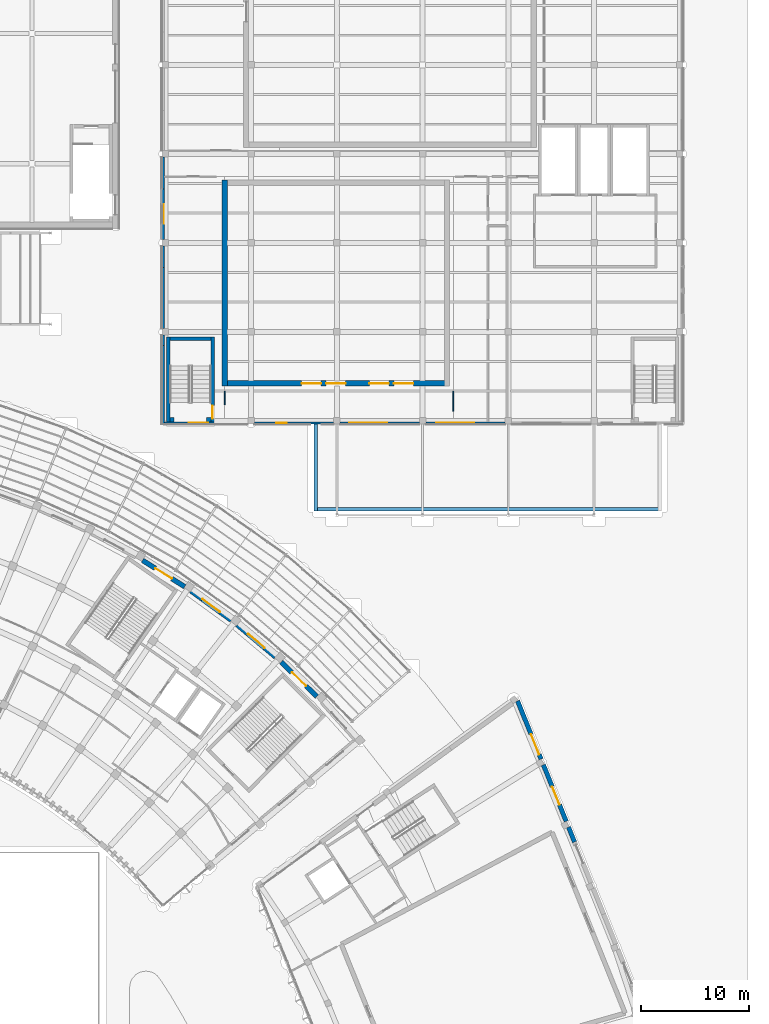
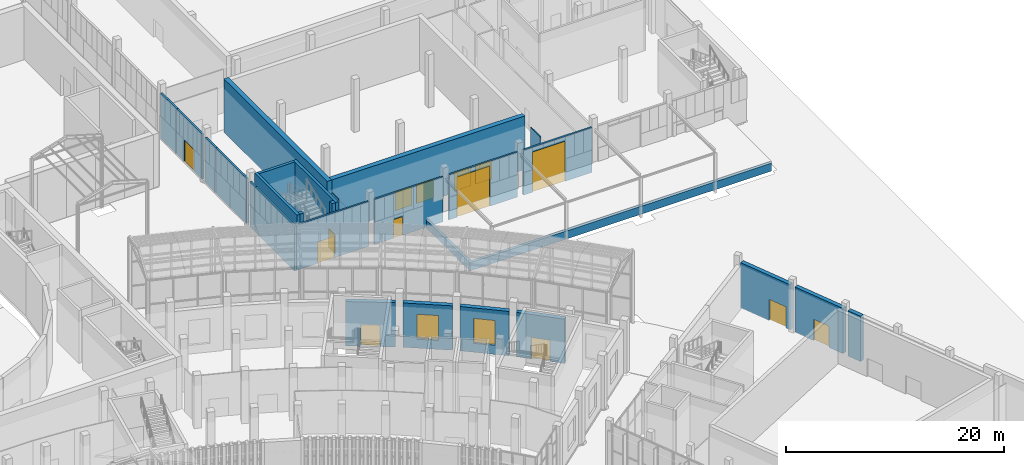
# One storey, part 101 of 155: 28 walls, 14 doors, 2 windows, 16 openings.
"""IFC4 building model written with IfcOpenShell, lengths in metres."""

import ifcopenshell
import ifcopenshell.guid

model = None  # the IFC model being written
_history = None  # IfcOwnerHistory: only IFC2X3 demands one
_inside = {}  # id of a spatial element -> (the spatial element, [elements in it])
_under = {}  # id of a project, library or spatial element -> (it, [spatial elements below it])
_declared = {}  # id of a project -> (the project, [libraries it declares])
_typed = {}  # id of a type object -> (the type object, [elements of that type])
_made_of = {}  # id of a material, layer set ... -> (it, [elements and type objects made of it])


def new_model(schema):
    """Start an empty IFC model of exactly this schema.

    Asked for "IFC4X3", IfcOpenShell would pick the latest addendum, in which some entities
    have other attributes; the version numbers below select the first issue.
    IFC2X3 requires an IfcOwnerHistory on every rooted entity: one is made here for all.
    """
    global model, _history
    if schema == "IFC4X3":
        model = ifcopenshell.file(schema_version=(4, 3, 0, 0))
    else:
        model = ifcopenshell.file(schema=schema)
    _inside.clear()
    _under.clear()
    _declared.clear()
    _typed.clear()
    _made_of.clear()
    _history = None
    if model.schema == "IFC2X3":
        org = make("IfcOrganization", Name="unknown")
        user = make(
            "IfcPersonAndOrganization",
            ThePerson=make("IfcPerson", FamilyName="unknown"),
            TheOrganization=org,
        )
        app = make(
            "IfcApplication",
            ApplicationDeveloper=org,
            Version="unknown",
            ApplicationFullName="unknown",
            ApplicationIdentifier="unknown",
        )
        _history = make(
            "IfcOwnerHistory",
            OwningUser=user,
            OwningApplication=app,
            ChangeAction="ADDED",
            CreationDate=0,
        )
    return model


def make(cls, **values):
    """One entity of the class cls with the attributes given. An attribute that is None is left unset."""
    return model.create_entity(
        cls, **{name: value for name, value in values.items() if value is not None}
    )


def rooted(cls, **values):
    """An entity with a GlobalId (a new one), such as an element, a storey or a relation."""
    return make(cls, GlobalId=ifcopenshell.guid.new(), OwnerHistory=_history, **values)


def si_unit(unit_type, name, prefix=None):
    """IfcSIUnit, for example si_unit("LENGTHUNIT", "METRE", prefix="MILLI")."""
    return make("IfcSIUnit", UnitType=unit_type, Prefix=prefix, Name=name)


def assignment(units):
    """IfcUnitAssignment: the units of a project."""
    return None if units is None else make("IfcUnitAssignment", Units=units)


def point(xyz):
    """IfcCartesianPoint."""
    return None if xyz is None else make("IfcCartesianPoint", Coordinates=xyz)


def direction(xyz):
    """IfcDirection."""
    return None if xyz is None else make("IfcDirection", DirectionRatios=xyz)


def frame(location, z_axis=None, x_axis=None):
    """IfcAxis2Placement3D, a coordinate frame: its origin and axes. An axis left out is left unset."""
    return make(
        "IfcAxis2Placement3D",
        Location=point(location),
        Axis=direction(z_axis),
        RefDirection=direction(x_axis),
    )


def frame_2d(location, x_axis=None):
    """IfcAxis2Placement2D, a coordinate frame in the plane: its origin and x axis."""
    return make(
        "IfcAxis2Placement2D", Location=point(location), RefDirection=direction(x_axis)
    )


def origin():
    """The frame at (0, 0, 0) with its axes left unset."""
    return frame((0.0, 0.0, 0.0))


def place(relative_to, where):
    """IfcLocalPlacement: puts the frame where relative to a parent placement (None: the world)."""
    return make(
        "IfcLocalPlacement", PlacementRelTo=relative_to, RelativePlacement=where
    )


def context(
    kind, dimensions, precision=None, world=None, true_north=None, identifier=None
):
    """IfcGeometricRepresentationContext, for example the 3D "Model" context."""
    return make(
        "IfcGeometricRepresentationContext",
        ContextIdentifier=identifier,
        ContextType=kind,
        CoordinateSpaceDimension=dimensions,
        Precision=precision,
        WorldCoordinateSystem=world,
        TrueNorth=true_north,
    )


def subcontext(parent, identifier, kind, view, scale=None):
    """IfcGeometricRepresentationSubContext, for example "Body" below "Model"."""
    return make(
        "IfcGeometricRepresentationSubContext",
        ContextIdentifier=identifier,
        ContextType=kind,
        ParentContext=parent,
        TargetScale=scale,
        TargetView=view,
    )


def project(units=None, contexts=None):
    """IfcProject with its units and contexts."""
    return rooted(
        "IfcProject",
        Name="project",
        RepresentationContexts=contexts,
        UnitsInContext=assignment(units),
    )


def spatial(cls, under=None, at=None, **own):
    """A site, building, storey or space (cls), placed at a placement, below another one or the project."""
    s = rooted(cls, ObjectPlacement=at, **own)
    if under is not None:
        _under.setdefault(under.id(), (under, []))[1].append(s)
    return s


def profile(cls, at=None, kind="AREA", **sizes):
    """A parametric profile (cls). Its sizes go by their IFC names, for example OverallWidth=200.0."""
    return make(cls, ProfileType=kind, Position=at, **sizes)


def rectangle(**sizes):
    """IfcRectangleProfileDef."""
    return profile("IfcRectangleProfileDef", **sizes)


def extrude(swept, where, along, depth):
    """IfcExtrudedAreaSolid: the profile swept, set in the frame where, extruded along a direction by depth."""
    return make(
        "IfcExtrudedAreaSolid",
        SweptArea=swept,
        Position=where,
        ExtrudedDirection=direction(along),
        Depth=depth,
    )


def shape(context_of_items, identifier, shape_type, items):
    """IfcShapeRepresentation: the items that make up one representation, for example the "Body"."""
    return make(
        "IfcShapeRepresentation",
        ContextOfItems=context_of_items,
        RepresentationIdentifier=identifier,
        RepresentationType=shape_type,
        Items=items,
    )


def material(Name=None, Category=None):
    """IfcMaterial."""
    return make("IfcMaterial", Name=Name, Category=Category)


def layer(
    of_material, thickness, ventilated=None, Name=None, Category=None, Priority=None
):
    """IfcMaterialLayer: one layer of a wall or slab, of a material (None: an air gap)."""
    return make(
        "IfcMaterialLayer",
        Material=of_material,
        LayerThickness=thickness,
        IsVentilated=ventilated,
        Name=Name,
        Category=Category,
        Priority=Priority,
    )


def layer_set(layers, Name=None):
    """IfcMaterialLayerSet."""
    return make("IfcMaterialLayerSet", MaterialLayers=layers, LayerSetName=Name)


def made_of(thing, what):
    """Note that an element or type object is made of a material, layer set ...; save() writes the relation."""
    if what is not None:
        _made_of.setdefault(what.id(), (what, []))[1].append(thing)
    return thing


def type_object(cls, material=None, **own):
    """A type object (cls), such as IfcWallType, which elements share."""
    return made_of(rooted(cls, **own), material)


def element(
    cls,
    number,
    at=None,
    inside=None,
    cuts=None,
    type_object=None,
    material=None,
    context=None,
    identifier="Body",
    shape_type=None,
    held_by="IfcProductDefinitionShape",
    body=None,
    shapes=None,
    **own,
):
    """One element of the class cls, such as IfcWall. Its Tag is "e" and its number.

    at: its placement. inside: the storey or other place that contains it. cuts: it is an
    opening in that element (IfcRelVoidsElement). A single representation is given by context,
    identifier, shape_type and body (its items); several are given by shapes. held_by: the class
    of the entity that holds the representations. save() writes the other relations.
    """
    e = rooted(cls, Tag="e%d" % number, ObjectPlacement=at, **own)
    if body is not None:
        shapes = [shape(context, identifier, shape_type, body)]
    if shapes is not None:
        e.Representation = make(held_by, Representations=shapes)
    if inside is not None:
        _inside.setdefault(inside.id(), (inside, []))[1].append(e)
    if cuts is not None:
        rooted(
            "IfcRelVoidsElement", RelatingBuildingElement=cuts, RelatedOpeningElement=e
        )
    if type_object is not None:
        _typed.setdefault(type_object.id(), (type_object, []))[1].append(e)
    return made_of(e, material)


def fill(opening, filler):
    """IfcRelFillsElement: the door or window that sits in an opening."""
    return rooted(
        "IfcRelFillsElement",
        RelatingOpeningElement=opening,
        RelatedBuildingElement=filler,
    )


def aggregate(whole, parts):
    """IfcRelAggregates: a whole, such as a stair, and the parts it consists of."""
    return rooted("IfcRelAggregates", RelatingObject=whole, RelatedObjects=parts)


def save(model, path):
    """Write the relations noted so far, then the file.

    IfcRelAggregates (storeys below a building ...), IfcRelContainedInSpatialStructure (elements
    in a storey), IfcRelDefinesByType, IfcRelAssociatesMaterial and IfcRelDeclares: one each for
    every whole, place, type object, material and project.
    """
    for whole, parts in _under.values():
        aggregate(whole, parts)
    for where, things in _inside.values():
        rooted(
            "IfcRelContainedInSpatialStructure",
            RelatedElements=things,
            RelatingStructure=where,
        )
    for kind, things in _typed.values():
        rooted("IfcRelDefinesByType", RelatedObjects=things, RelatingType=kind)
    for what, things in _made_of.values():
        rooted("IfcRelAssociatesMaterial", RelatedObjects=things, RelatingMaterial=what)
    for by, libraries in _declared.values():
        rooted("IfcRelDeclares", RelatingContext=by, RelatedDefinitions=libraries)
    model.write(path)


model = new_model("IFC4")

# Units and contexts
model_context = context("Model", 3, precision=1e-05, world=origin(), true_north=direction((0.0, 1.0)))
body_context = subcontext(model_context, "Body", "Model", "MODEL_VIEW")
ifc_project = project(units=[si_unit("LENGTHUNIT", "METRE"), si_unit("AREAUNIT", "SQUARE_METRE"), si_unit("VOLUMEUNIT", "CUBIC_METRE"), si_unit("PLANEANGLEUNIT", "RADIAN"), si_unit("MASSUNIT", "GRAM", prefix="KILO")], contexts=[model_context])

# Site, building, storey
site_placement = place(None, origin())
site = spatial("IfcSite", under=ifc_project, at=site_placement, CompositionType="ELEMENT")
building_placement = place(site_placement, origin())
building = spatial("IfcBuilding", under=site, at=building_placement, Name="Lunette Opera House", CompositionType="ELEMENT")
storey_placement = place(building_placement, origin())
storey = spatial("IfcBuildingStorey", under=building, at=storey_placement, Name="L00", CompositionType="ELEMENT", Elevation=0.0)

# Wall, opening, door
ifc_material_1 = material(Name="Clinker brick", Category="masonry")
ifc_layer_1 = layer(ifc_material_1, 0.449951171875)
ifc_layer_set_1 = layer_set([ifc_layer_1], Name="Clinker brick")
wall_type_1 = type_object("IfcWallType", Name="ARM RAIN SCREEN WALL 450", PredefinedType="SOLIDWALL", material=ifc_layer_set_1)
wall_1_placement = place(storey_placement, frame((134.18505859375, 65.43798828125, 0.0), z_axis=(0.0, 0.0, 1.0), x_axis=(0.847869758982, -0.530204556567, 0.0)))
wall_1 = element("IfcWall", 1, at=wall_1_placement, inside=storey, type_object=wall_type_1, Name="Arm Rain Screen Wall 450 BW-CE04 L00", PredefinedType="SOLIDWALL", context=body_context, shape_type="SweptSolid", body=[
    extrude(rectangle(XDim=4.589111328125, YDim=0.449951171875, at=frame_2d((2.29443359375, 0.0))), origin(), (0.0, 0.0, 1.0), 4.97998046875),
])
opening_1_placement = place(wall_1_placement, frame((1.39404296875, 0.0, 0.0)))
opening_1 = element("IfcOpeningElement", 2, at=opening_1_placement, cuts=wall_1, Name="Opening FC-D2010", PredefinedType="OPENING", context=body_context, shape_type="SweptSolid", body=[
    extrude(rectangle(XDim=1.800048828125, YDim=2.39990234375, at=frame_2d((0.89990234375, 1.199951171875))), frame((0.0, 0.237060546875, 0.0), z_axis=(0.0, -1.0, 0.0), x_axis=(1.0, 0.0, 0.0)), (0.0, 0.0, 1.0), 0.473876953125),
])
ifc_material_2 = material(Name="Powder-coated steel", Category="steel")
door_type_1 = type_object("IfcDoorType", Name="EXIT DOUBLE DOOR 1800 X 2400", OperationType="DOUBLE_DOOR_DOUBLE_SWING", PredefinedType="DOOR", material=ifc_material_2)
door_1_placement = place(opening_1_placement, origin())
door_1 = element("IfcDoor", 3, at=door_1_placement, inside=storey, type_object=door_type_1, Name="Exit Double Door 1800 X 2400 BW-CE04 L00", OperationType="DOUBLE_DOOR_DOUBLE_SWING", OverallHeight=2.39990234375, OverallWidth=1.800048828125, PredefinedType="DOOR", context=body_context, shape_type="SweptSolid", body=[
    extrude(rectangle(XDim=1.800048828125, YDim=2.39990234375, at=frame_2d((0.89990234375, 1.199951171875))), frame((0.0, 0.02490234375, 0.0), z_axis=(0.0, -1.0, 0.0), x_axis=(1.0, 0.0, 0.0)), (0.0, 0.0, 1.0), 0.050048828125),
])
fill(opening_1, door_1)

# Wall, opening, window
wall_2_placement = place(storey_placement, frame((138.656005859375, 62.614013671875, 0.0), z_axis=(0.0, 0.0, 1.0), x_axis=(0.809175321394, -0.587567272104, 0.0)))
wall_2 = element("IfcWall", 4, at=wall_2_placement, inside=storey, type_object=wall_type_1, Name="Arm Rain Screen Wall 450 BW-CE05 L00", PredefinedType="SOLIDWALL", context=body_context, shape_type="SweptSolid", body=[
    extrude(rectangle(XDim=4.58837890625, YDim=0.449951171875, at=frame_2d((2.294189453125, 0.0))), origin(), (0.0, 0.0, 1.0), 4.97998046875),
])
opening_2_placement = place(wall_2_placement, frame((1.2939453125, 0.0, 1.0)))
opening_2 = element("IfcOpeningElement", 5, at=opening_2_placement, cuts=wall_2, Name="Opening FC-N2158", PredefinedType="OPENING", context=body_context, shape_type="SweptSolid", body=[
    extrude(rectangle(XDim=2.0, YDim=2.800048828125, at=frame_2d((1.0, 1.39990234375))), frame((0.0, 0.237060546875, 0.0), z_axis=(0.0, -1.0, 0.0), x_axis=(1.0, 0.0, 0.0)), (0.0, 0.0, 1.0), 0.473876953125),
])
ifc_material_3 = material(Name="Aluminium", Category="aluminium")
window_type = type_object("IfcWindowType", Name="ARM WINDOW 2000 X 2800", PartitioningType="DOUBLE_PANEL_VERTICAL", PredefinedType="WINDOW", material=ifc_material_3)
window_1_placement = place(opening_2_placement, origin())
window_1 = element("IfcWindow", 6, at=window_1_placement, inside=storey, type_object=window_type, Name="Arm Window 2000 X 2800 BW-CE05 L00", OverallHeight=2.800048828125, OverallWidth=2.0, PartitioningType="DOUBLE_PANEL_VERTICAL", PredefinedType="WINDOW", context=body_context, shape_type="SweptSolid", body=[
    extrude(rectangle(XDim=2.0, YDim=2.800048828125, at=frame_2d((1.0, 1.39990234375))), frame((0.0, 0.030029296875, 0.0), z_axis=(0.0, -1.0, 0.0), x_axis=(1.0, 0.0, 0.0)), (0.0, 0.0, 1.0), 0.06005859375),
])
fill(opening_2, window_1)

wall_3_placement = place(storey_placement, frame((142.919921875, 59.487060546875, 0.0), z_axis=(0.0, 0.0, 1.0), x_axis=(0.76600138663, -0.642838918922, 0.0)))
wall_3 = element("IfcWall", 7, at=wall_3_placement, inside=storey, type_object=wall_type_1, Name="Arm Rain Screen Wall 450 BW-CE06 L00", PredefinedType="SOLIDWALL", context=body_context, shape_type="SweptSolid", body=[
    extrude(rectangle(XDim=4.5888671875, YDim=0.449951171875, at=frame_2d((2.29443359375, 0.0))), origin(), (0.0, 0.0, 1.0), 4.97998046875),
])
opening_3_placement = place(wall_3_placement, frame((1.2939453125, 0.0, 1.0)))
opening_3 = element("IfcOpeningElement", 8, at=opening_3_placement, cuts=wall_3, Name="Opening FC-N2163", PredefinedType="OPENING", context=body_context, shape_type="SweptSolid", body=[
    extrude(rectangle(XDim=2.0, YDim=2.800048828125, at=frame_2d((1.0, 1.39990234375))), frame((0.0, 0.237060546875, 0.0), z_axis=(0.0, -1.0, 0.0), x_axis=(1.0, 0.0, 0.0)), (0.0, 0.0, 1.0), 0.473876953125),
])
window_2_placement = place(opening_3_placement, origin())
window_2 = element("IfcWindow", 9, at=window_2_placement, inside=storey, type_object=window_type, Name="Arm Window 2000 X 2800 BW-CE06 L00", OverallHeight=2.800048828125, OverallWidth=2.0, PartitioningType="DOUBLE_PANEL_VERTICAL", PredefinedType="WINDOW", context=body_context, shape_type="SweptSolid", body=[
    extrude(rectangle(XDim=2.0, YDim=2.800048828125, at=frame_2d((1.0, 1.39990234375))), frame((0.0, 0.030029296875, 0.0), z_axis=(0.0, -1.0, 0.0), x_axis=(1.0, 0.0, 0.0)), (0.0, 0.0, 1.0), 0.06005859375),
])
fill(opening_3, window_2)

# Wall, opening, door
wall_4_placement = place(storey_placement, frame((146.955078125, 56.069091796875, 0.0), z_axis=(0.0, 0.0, 1.0), x_axis=(0.71931528768, -0.694683753164, 0.0)))
wall_4 = element("IfcWall", 10, at=wall_4_placement, inside=storey, type_object=wall_type_1, Name="Arm Rain Screen Wall 450 BW-CE07 L00", PredefinedType="SOLIDWALL", context=body_context, shape_type="SweptSolid", body=[
    extrude(rectangle(XDim=4.589111328125, YDim=0.449951171875, at=frame_2d((2.29443359375, 0.0))), origin(), (0.0, 0.0, 1.0), 4.97998046875),
])
opening_4_placement = place(wall_4_placement, frame((1.39501953125, 0.0, 0.0)))
opening_4 = element("IfcOpeningElement", 11, at=opening_4_placement, cuts=wall_4, Name="Opening FC-D2011", PredefinedType="OPENING", context=body_context, shape_type="SweptSolid", body=[
    extrude(rectangle(XDim=1.800048828125, YDim=2.39990234375, at=frame_2d((0.89990234375, 1.199951171875))), frame((0.0, 0.237060546875, 0.0), z_axis=(0.0, -1.0, 0.0), x_axis=(1.0, 0.0, 0.0)), (0.0, 0.0, 1.0), 0.473876953125),
])
door_2_placement = place(opening_4_placement, origin())
door_2 = element("IfcDoor", 12, at=door_2_placement, inside=storey, type_object=door_type_1, Name="Exit Double Door 1800 X 2400 BW-CE07 L00", OperationType="DOUBLE_DOOR_DOUBLE_SWING", OverallHeight=2.39990234375, OverallWidth=1.800048828125, PredefinedType="DOOR", context=body_context, shape_type="SweptSolid", body=[
    extrude(rectangle(XDim=1.800048828125, YDim=2.39990234375, at=frame_2d((0.89990234375, 1.199951171875))), frame((0.0, 0.02490234375, 0.0), z_axis=(0.0, -1.0, 0.0), x_axis=(1.0, 0.0, 0.0)), (0.0, 0.0, 1.0), 0.050048828125),
])
fill(opening_4, door_2)

# Walls
ifc_material_4 = material(Name="Concrete C35/45", Category="concrete")
ifc_layer_2 = layer(ifc_material_4, 0.39990234375)
ifc_layer_set_2 = layer_set([ifc_layer_2], Name="Concrete C35/45")
wall_type_2 = type_object("IfcWallType", Name="RC PILASTER 400", PredefinedType="SOLIDWALL", material=ifc_layer_set_2)
wall_5_placement = place(storey_placement, frame((136.699951171875, 78.39990234375, 0.0), z_axis=(0.0, 0.0, 1.0), x_axis=(1.0, 0.0, 0.0)))
element("IfcWall", 13, at=wall_5_placement, inside=storey, type_object=wall_type_2, Name="ST18 pilaster 1", PredefinedType="SOLIDWALL", context=body_context, shape_type="SweptSolid", body=[
    extrude(rectangle(XDim=0.400146484375, YDim=0.39990234375, at=frame_2d((0.2001953125, 0.0))), origin(), (0.0, 0.0, 1.0), 6.0),
])
wall_6_placement = place(storey_placement, frame((140.10009765625, 78.39990234375, 0.0), z_axis=(0.0, 0.0, 1.0), x_axis=(1.0, 0.0, 0.0)))
element("IfcWall", 14, at=wall_6_placement, inside=storey, type_object=wall_type_2, Name="ST18 pilaster 2", PredefinedType="SOLIDWALL", context=body_context, shape_type="SweptSolid", body=[
    extrude(rectangle(XDim=0.39990234375, YDim=0.39990234375, at=frame_2d((0.199951171875, 0.0))), origin(), (0.0, 0.0, 1.0), 6.0),
])

# Wall, opening, door
ifc_material_5 = material(Name="Concrete C35/45", Category="concrete")
ifc_layer_3 = layer(ifc_material_5, 0.300048828125)
ifc_layer_set_3 = layer_set([ifc_layer_3], Name="Concrete C35/45")
wall_type_3 = type_object("IfcWallType", Name="RC STAIR ENCLOSURE WALL 300", PredefinedType="SOLIDWALL", material=ifc_layer_set_3)
wall_7_placement = place(storey_placement, frame((140.64990234375, 78.199951171875, 0.0), z_axis=(0.0, 0.0, 1.0), x_axis=(0.0, 1.0, 0.0)))
wall_7 = element("IfcWall", 15, at=wall_7_placement, inside=storey, type_object=wall_type_3, Name="ST18 enclosure wall 1", PredefinedType="SOLIDWALL", context=body_context, shape_type="SweptSolid", body=[
    extrude(rectangle(XDim=7.800048828125, YDim=0.300048828125, at=frame_2d((3.89990234375, 0.0))), origin(), (0.0, 0.0, 1.0), 6.0),
])
opening_5_placement = place(wall_7_placement, frame((0.300048828125, 0.0, 0.0)))
opening_5 = element("IfcOpeningElement", 16, at=opening_5_placement, cuts=wall_7, Name="Opening WW-D7002", PredefinedType="OPENING", context=body_context, shape_type="SweptSolid", body=[
    extrude(rectangle(XDim=1.199951171875, YDim=2.10009765625, at=frame_2d((0.60009765625, 1.050048828125))), frame((0.0, 0.162109375, 0.0), z_axis=(0.0, -1.0, 0.0), x_axis=(1.0, 0.0, 0.0)), (0.0, 0.0, 1.0), 0.323974609375),
])
ifc_material_6 = material(Name="Steel", Category="steel")
door_type_2 = type_object("IfcDoorType", Name="FIRE DOOR 1200 X 2100", OperationType="SINGLE_SWING_LEFT", PredefinedType="DOOR", material=ifc_material_6)
door_3_placement = place(opening_5_placement, origin())
door_3 = element("IfcDoor", 17, at=door_3_placement, inside=storey, type_object=door_type_2, Name="ST18 stair door", OperationType="SINGLE_SWING_LEFT", OverallHeight=2.10009765625, OverallWidth=1.199951171875, PredefinedType="DOOR", context=body_context, shape_type="SweptSolid", body=[
    extrude(rectangle(XDim=1.199951171875, YDim=2.10009765625, at=frame_2d((0.60009765625, 1.050048828125))), frame((0.0, 0.02490234375, 0.0), z_axis=(0.0, -1.0, 0.0), x_axis=(1.0, 0.0, 0.0)), (0.0, 0.0, 1.0), 0.050048828125),
])
fill(opening_5, door_3)

# Walls
wall_8_placement = place(storey_placement, frame((140.5, 85.85009765625, 0.0), z_axis=(0.0, 0.0, 1.0), x_axis=(-1.0, 0.0, 0.0)))
element("IfcWall", 18, at=wall_8_placement, inside=storey, type_object=wall_type_3, Name="ST18 enclosure wall 2", PredefinedType="SOLIDWALL", context=body_context, shape_type="SweptSolid", body=[
    extrude(rectangle(XDim=3.800048828125, YDim=0.300048828125, at=frame_2d((1.89990234375, 0.0))), origin(), (0.0, 0.0, 1.0), 6.0),
])
wall_9_placement = place(storey_placement, frame((136.550048828125, 86.0, 0.0), z_axis=(0.0, 0.0, 1.0), x_axis=(0.0, -1.0, 0.0)))
element("IfcWall", 19, at=wall_9_placement, inside=storey, type_object=wall_type_3, Name="ST18 enclosure wall 3", PredefinedType="SOLIDWALL", context=body_context, shape_type="SweptSolid", body=[
    extrude(rectangle(XDim=7.800048828125, YDim=0.300048828125, at=frame_2d((3.89990234375, 0.0))), origin(), (0.0, 0.0, 1.0), 6.0),
])
ifc_material_7 = material(Name="Concrete C35/45", Category="concrete")
ifc_layer_4 = layer(ifc_material_7, 0.300048828125)
ifc_layer_set_4 = layer_set([ifc_layer_4], Name="Concrete C35/45")
wall_type_4 = type_object("IfcWallType", Name="RC WALL 300", PredefinedType="SHEAR", material=ifc_layer_set_4)
wall_10_placement = place(storey_placement, frame((150.0, 70.14990234375, -0.050048828125), z_axis=(0.0, 0.0, 1.0), x_axis=(1.0, 0.0, 0.0)))
element("IfcWall", 20, at=wall_10_placement, inside=storey, type_object=wall_type_4, Name="wall-WW-L00-DK-S", PredefinedType="SHEAR", context=body_context, shape_type="SweptSolid", body=[
    extrude(rectangle(XDim=32.0, YDim=0.300048828125, at=frame_2d((16.0, 0.0))), origin(), (0.0, 0.0, 1.0), 0.900146484375),
])
wall_11_placement = place(storey_placement, frame((150.14990234375, 70.0, -0.050048828125), z_axis=(0.0, 0.0, 1.0), x_axis=(0.0, 1.0, 0.0)))
element("IfcWall", 21, at=wall_11_placement, inside=storey, type_object=wall_type_4, Name="wall-WW-L00-DK-W", PredefinedType="SHEAR", context=body_context, shape_type="SweptSolid", body=[
    extrude(rectangle(XDim=8.0, YDim=0.300048828125, at=frame_2d((4.0, 0.0))), origin(), (0.0, 0.0, 1.0), 0.900146484375),
])

# Wall, openings, doors
ifc_material_8 = material(Name="Concrete C35/45", Category="concrete")
ifc_layer_5 = layer(ifc_material_8, 0.5)
ifc_layer_set_5 = layer_set([ifc_layer_5], Name="Concrete C35/45")
wall_type_5 = type_object("IfcWallType", Name="RC WALL 500", PredefinedType="SHEAR", material=ifc_layer_set_5)
wall_12_placement = place(storey_placement, frame((141.5, 81.75, 0.0), z_axis=(0.0, 0.0, 1.0), x_axis=(1.0, 0.0, 0.0)))
wall_12 = element("IfcWall", 22, at=wall_12_placement, inside=storey, type_object=wall_type_5, Name="wall-WW-L00-CP-S-1", PredefinedType="SHEAR", context=body_context, shape_type="SweptSolid", body=[
    extrude(rectangle(XDim=21.0, YDim=0.5, at=frame_2d((10.5, 0.0))), origin(), (0.0, 0.0, 1.0), 6.0),
])
opening_6_placement = place(wall_12_placement, frame((9.60009765625, 0.0, 0.0)))
opening_6 = element("IfcOpeningElement", 23, at=opening_6_placement, cuts=wall_12, Name="Opening WW-D3007", PredefinedType="OPENING", context=body_context, shape_type="SweptSolid", body=[
    extrude(rectangle(XDim=1.800048828125, YDim=2.10009765625, at=frame_2d((0.89990234375, 1.050048828125))), frame((0.0, 0.261962890625, 0.0), z_axis=(0.0, -1.0, 0.0), x_axis=(1.0, 0.0, 0.0)), (0.0, 0.0, 1.0), 0.52392578125),
])
opening_7_placement = place(wall_12_placement, frame((13.60009765625, 0.0, 0.0)))
opening_7 = element("IfcOpeningElement", 24, at=opening_7_placement, cuts=wall_12, Name="Opening WW-D3008", PredefinedType="OPENING", context=body_context, shape_type="SweptSolid", body=[
    extrude(rectangle(XDim=1.800048828125, YDim=2.10009765625, at=frame_2d((0.89990234375, 1.050048828125))), frame((0.0, 0.261962890625, 0.0), z_axis=(0.0, -1.0, 0.0), x_axis=(1.0, 0.0, 0.0)), (0.0, 0.0, 1.0), 0.52392578125),
])
opening_8_placement = place(wall_12_placement, frame((7.35009765625, 0.0, 0.0)))
opening_8 = element("IfcOpeningElement", 25, at=opening_8_placement, cuts=wall_12, Name="Opening WW-D3015", PredefinedType="OPENING", context=body_context, shape_type="SweptSolid", body=[
    extrude(rectangle(XDim=1.800048828125, YDim=2.10009765625, at=frame_2d((0.89990234375, 1.050048828125))), frame((0.0, 0.261962890625, 0.0), z_axis=(0.0, -1.0, 0.0), x_axis=(1.0, 0.0, 0.0)), (0.0, 0.0, 1.0), 0.52392578125),
])
opening_9_placement = place(wall_12_placement, frame((15.85009765625, 0.0, 0.0)))
opening_9 = element("IfcOpeningElement", 26, at=opening_9_placement, cuts=wall_12, Name="Opening WW-D3016", PredefinedType="OPENING", context=body_context, shape_type="SweptSolid", body=[
    extrude(rectangle(XDim=1.800048828125, YDim=2.10009765625, at=frame_2d((0.89990234375, 1.050048828125))), frame((0.0, 0.261962890625, 0.0), z_axis=(0.0, -1.0, 0.0), x_axis=(1.0, 0.0, 0.0)), (0.0, 0.0, 1.0), 0.52392578125),
])
ifc_material_9 = material(Name="Timber", Category="wood")
door_type_3 = type_object("IfcDoorType", Name="DOUBLE FLUSH DOOR 1800 X 2100", OperationType="DOUBLE_DOOR_SINGLE_SWING", PredefinedType="DOOR", material=ifc_material_9)
door_4_placement = place(opening_6_placement, origin())
door_4 = element("IfcDoor", 27, at=door_4_placement, inside=storey, type_object=door_type_3, Name="Scenery Workshop Carpentry door", OperationType="DOUBLE_DOOR_SINGLE_SWING", OverallHeight=2.10009765625, OverallWidth=1.800048828125, PredefinedType="DOOR", context=body_context, shape_type="SweptSolid", body=[
    extrude(rectangle(XDim=1.800048828125, YDim=2.10009765625, at=frame_2d((0.89990234375, 1.050048828125))), frame((0.0, 0.02490234375, 0.0), z_axis=(0.0, -1.0, 0.0), x_axis=(1.0, 0.0, 0.0)), (0.0, 0.0, 1.0), 0.050048828125),
])
fill(opening_6, door_4)
door_5_placement = place(opening_7_placement, origin())
door_5 = element("IfcDoor", 28, at=door_5_placement, inside=storey, type_object=door_type_3, Name="Scenery Workshop Carpentry door", OperationType="DOUBLE_DOOR_SINGLE_SWING", OverallHeight=2.10009765625, OverallWidth=1.800048828125, PredefinedType="DOOR", context=body_context, shape_type="SweptSolid", body=[
    extrude(rectangle(XDim=1.800048828125, YDim=2.10009765625, at=frame_2d((0.89990234375, 1.050048828125))), frame((0.0, 0.02490234375, 0.0), z_axis=(0.0, -1.0, 0.0), x_axis=(1.0, 0.0, 0.0)), (0.0, 0.0, 1.0), 0.050048828125),
])
fill(opening_7, door_5)
door_6_placement = place(opening_8_placement, origin())
door_6 = element("IfcDoor", 29, at=door_6_placement, inside=storey, type_object=door_type_3, Name="Prop Workshop door", OperationType="DOUBLE_DOOR_SINGLE_SWING", OverallHeight=2.10009765625, OverallWidth=1.800048828125, PredefinedType="DOOR", context=body_context, shape_type="SweptSolid", body=[
    extrude(rectangle(XDim=1.800048828125, YDim=2.10009765625, at=frame_2d((0.89990234375, 1.050048828125))), frame((0.0, 0.02490234375, 0.0), z_axis=(0.0, -1.0, 0.0), x_axis=(1.0, 0.0, 0.0)), (0.0, 0.0, 1.0), 0.050048828125),
])
fill(opening_8, door_6)
door_7_placement = place(opening_9_placement, origin())
door_7 = element("IfcDoor", 30, at=door_7_placement, inside=storey, type_object=door_type_3, Name="Prop Workshop door", OperationType="DOUBLE_DOOR_SINGLE_SWING", OverallHeight=2.10009765625, OverallWidth=1.800048828125, PredefinedType="DOOR", context=body_context, shape_type="SweptSolid", body=[
    extrude(rectangle(XDim=1.800048828125, YDim=2.10009765625, at=frame_2d((0.89990234375, 1.050048828125))), frame((0.0, 0.02490234375, 0.0), z_axis=(0.0, -1.0, 0.0), x_axis=(1.0, 0.0, 0.0)), (0.0, 0.0, 1.0), 0.050048828125),
])
fill(opening_9, door_7)

# Walls
wall_13_placement = place(storey_placement, frame((141.75, 81.5, 0.0), z_axis=(0.0, 0.0, 1.0), x_axis=(0.0, 1.0, 0.0)))
element("IfcWall", 31, at=wall_13_placement, inside=storey, type_object=wall_type_5, Name="wall-WW-L00-CP-W-1", PredefinedType="SHEAR", context=body_context, shape_type="SweptSolid", body=[
    extrude(rectangle(XDim=19.0, YDim=0.5, at=frame_2d((9.5, 0.0))), origin(), (0.0, 0.0, 1.0), 6.0),
])
ifc_material_10 = material(Name="Gypsum board on steel studs", Category="steel")
ifc_layer_6 = layer(ifc_material_10, 0.10009765625)
ifc_layer_set_6 = layer_set([ifc_layer_6], Name="Gypsum board on steel studs")
wall_type_6 = type_object("IfcWallType", Name="STUD PARTITION 100", PredefinedType="PARTITIONING", material=ifc_layer_set_6)
wall_14_placement = place(storey_placement, frame((141.7451171875, 79.800048828125, 0.0), z_axis=(0.0, 0.0, 1.0), x_axis=(0.0, 1.0, 0.0)))
element("IfcWall", 32, at=wall_14_placement, inside=storey, type_object=wall_type_6, Name="Partition Dye and Laundry", PredefinedType="PARTITIONING", context=body_context, shape_type="SweptSolid", body=[
    extrude(rectangle(XDim=1.199951171875, YDim=0.10009765625, at=frame_2d((0.60009765625, 0.0))), origin(), (0.0, 0.0, 1.0), 4.949951171875),
])
wall_15_placement = place(storey_placement, frame((162.833984375, 81.0, 0.0), z_axis=(0.0, 0.0, 1.0), x_axis=(0.0, -1.0, 0.0)))
element("IfcWall", 33, at=wall_15_placement, inside=storey, type_object=wall_type_6, Name="Partition Workshop Canteen", PredefinedType="PARTITIONING", context=body_context, shape_type="SweptSolid", body=[
    extrude(rectangle(XDim=1.800048828125, YDim=0.10009765625, at=frame_2d((0.89990234375, 0.0))), origin(), (0.0, 0.0, 1.0), 4.949951171875),
])
ifc_material_11 = material(Name="Clinker brick", Category="masonry")
ifc_layer_7 = layer(ifc_material_11, 0.419921875)
ifc_layer_set_7 = layer_set([ifc_layer_7], Name="Clinker brick")
wall_type_7 = type_object("IfcWallType", Name="STUDIO BRICK WALL 420", PredefinedType="SOLIDWALL", material=ifc_layer_set_7)
wall_16_placement = place(storey_placement, frame((174.010009765625, 39.47607421875, 0.0), z_axis=(0.0, 0.0, 1.0), x_axis=(-0.374662342697, 0.927161328446, 0.0)))
element("IfcWall", 34, at=wall_16_placement, inside=storey, type_object=wall_type_7, Name="Studio Brick Wall 420 F13-1 L00", PredefinedType="SOLIDWALL", context=body_context, shape_type="SweptSolid", body=[
    extrude(rectangle(XDim=1.478515625, YDim=0.419921875, at=frame_2d((0.7392578125, 0.0))), origin(), (0.0, 0.0, 1.0), 5.080078125),
])

# Wall, opening, door
wall_17_placement = place(storey_placement, frame((173.239990234375, 41.381103515625, 0.0), z_axis=(0.0, 0.0, 1.0), x_axis=(-0.374669966745, 0.927158247561, 0.0)))
wall_17 = element("IfcWall", 35, at=wall_17_placement, inside=storey, type_object=wall_type_7, Name="Studio Brick Wall 420 F13-2 L00", PredefinedType="SOLIDWALL", context=body_context, shape_type="SweptSolid", body=[
    extrude(rectangle(XDim=5.6181640625, YDim=0.419921875, at=frame_2d((2.80908203125, 0.0))), origin(), (0.0, 0.0, 1.0), 5.080078125),
])
opening_10_placement = place(wall_17_placement, frame((1.64990234375, 0.0, 0.0)))
opening_10 = element("IfcOpeningElement", 36, at=opening_10_placement, cuts=wall_17, Name="Opening SB-D2008", PredefinedType="OPENING", context=body_context, shape_type="SweptSolid", body=[
    extrude(rectangle(XDim=1.800048828125, YDim=2.39990234375, at=frame_2d((0.89990234375, 1.199951171875))), frame((0.0, 0.221923828125, 0.0), z_axis=(0.0, -1.0, 0.0), x_axis=(1.0, 0.0, 0.0)), (0.0, 0.0, 1.0), 0.44384765625),
])
door_8_placement = place(opening_10_placement, origin())
door_8 = element("IfcDoor", 37, at=door_8_placement, inside=storey, type_object=door_type_1, Name="Exit Double Door 1800 X 2400 SBXD3 L00", OperationType="DOUBLE_DOOR_DOUBLE_SWING", OverallHeight=2.39990234375, OverallWidth=1.800048828125, PredefinedType="DOOR", context=body_context, shape_type="SweptSolid", body=[
    extrude(rectangle(XDim=1.800048828125, YDim=2.39990234375, at=frame_2d((0.89990234375, 1.199951171875))), frame((0.0, 0.02490234375, 0.0), z_axis=(0.0, -1.0, 0.0), x_axis=(1.0, 0.0, 0.0)), (0.0, 0.0, 1.0), 0.050048828125),
])
fill(opening_10, door_8)

wall_18_placement = place(storey_placement, frame((170.9208984375, 47.1201171875, 0.0), z_axis=(0.0, 0.0, 1.0), x_axis=(-0.374587433277, 0.927191595535, 0.0)))
wall_18 = element("IfcWall", 38, at=wall_18_placement, inside=storey, type_object=wall_type_7, Name="Studio Brick Wall 420 F14 L00", PredefinedType="SOLIDWALL", context=body_context, shape_type="SweptSolid", body=[
    extrude(rectangle(XDim=5.776611328125, YDim=0.419921875, at=frame_2d((2.88818359375, 0.0))), origin(), (0.0, 0.0, 1.0), 5.080078125),
])
opening_11_placement = place(wall_18_placement, frame((0.4541015625, 0.0, 0.0)))
opening_11 = element("IfcOpeningElement", 39, at=opening_11_placement, cuts=wall_18, Name="Opening SB-D2001", PredefinedType="OPENING", context=body_context, shape_type="SweptSolid", body=[
    extrude(rectangle(XDim=2.0, YDim=2.39990234375, at=frame_2d((1.0, 1.199951171875))), frame((0.0, 0.221923828125, 0.0), z_axis=(0.0, -1.0, 0.0), x_axis=(1.0, 0.0, 0.0)), (0.0, 0.0, 1.0), 0.44384765625),
])
ifc_material_12 = material(Name="Aluminium", Category="aluminium")
door_type_4 = type_object("IfcDoorType", Name="ENTRANCE DOUBLE DOOR 2000 X 2400", OperationType="DOUBLE_DOOR_DOUBLE_SWING", PredefinedType="DOOR", material=ifc_material_12)
door_9_placement = place(opening_11_placement, origin())
door_9 = element("IfcDoor", 40, at=door_9_placement, inside=storey, type_object=door_type_4, Name="Entrance Double Door 2000 X 2400 SBD1 L00", OperationType="DOUBLE_DOOR_DOUBLE_SWING", OverallHeight=2.39990234375, OverallWidth=2.0, PredefinedType="DOOR", context=body_context, shape_type="SweptSolid", body=[
    extrude(rectangle(XDim=2.0, YDim=2.39990234375, at=frame_2d((1.0, 1.199951171875))), frame((0.0, 0.02490234375, 0.0), z_axis=(0.0, -1.0, 0.0), x_axis=(1.0, 0.0, 0.0)), (0.0, 0.0, 1.0), 0.050048828125),
])
fill(opening_11, door_9)

# Wall
ifc_material_13 = material(Name="Insulated aluminium sandwich panel", Category="aluminium")
ifc_layer_8 = layer(ifc_material_13, 0.199951171875)
ifc_layer_set_8 = layer_set([ifc_layer_8], Name="Insulated aluminium sandwich panel")
wall_type_8 = type_object("IfcWallType", Name="WORKSHOP METAL PANEL WALL 200", PredefinedType="SOLIDWALL", material=ifc_layer_set_8)
wall_19_placement = place(storey_placement, frame((136.10009765625, 102.60009765625, 0.0), z_axis=(0.0, 0.0, 1.0), x_axis=(0.0, -1.0, 0.0)))
element("IfcWall", 41, at=wall_19_placement, inside=storey, type_object=wall_type_8, Name="Workshop Metal Panel Wall 200 F11-2 L00", PredefinedType="SOLIDWALL", context=body_context, shape_type="SweptSolid", body=[
    extrude(rectangle(XDim=2.925048828125, YDim=0.199951171875, at=frame_2d((1.46240234375, 0.0))), origin(), (0.0, 0.0, 1.0), 5.050048828125),
])

# Wall, opening, door
wall_20_placement = place(storey_placement, frame((136.10009765625, 99.675048828125, 0.0), z_axis=(0.0, 0.0, 1.0), x_axis=(0.0, -1.0, 0.0)))
wall_20 = element("IfcWall", 42, at=wall_20_placement, inside=storey, type_object=wall_type_8, Name="Workshop Metal Panel Wall 200 F12-1 L00", PredefinedType="SOLIDWALL", context=body_context, shape_type="SweptSolid", body=[
    extrude(rectangle(XDim=4.675048828125, YDim=0.199951171875, at=frame_2d((2.33740234375, 0.0))), origin(), (0.0, 0.0, 1.0), 5.050048828125),
])
opening_12_placement = place(wall_20_placement, frame((1.39990234375, 0.0, 0.0)))
opening_12 = element("IfcOpeningElement", 43, at=opening_12_placement, cuts=wall_20, Name="Opening WW-D2012", PredefinedType="OPENING", context=body_context, shape_type="SweptSolid", body=[
    extrude(rectangle(XDim=1.800048828125, YDim=2.39990234375, at=frame_2d((0.89990234375, 1.199951171875))), frame((0.0, 0.112060546875, 0.0), z_axis=(0.0, -1.0, 0.0), x_axis=(1.0, 0.0, 0.0)), (0.0, 0.0, 1.0), 0.223876953125),
])
door_10_placement = place(opening_12_placement, origin())
door_10 = element("IfcDoor", 44, at=door_10_placement, inside=storey, type_object=door_type_1, Name="Exit Double Door 1800 X 2400 ST18XD L00", OperationType="DOUBLE_DOOR_DOUBLE_SWING", OverallHeight=2.39990234375, OverallWidth=1.800048828125, PredefinedType="DOOR", context=body_context, shape_type="SweptSolid", body=[
    extrude(rectangle(XDim=1.800048828125, YDim=2.39990234375, at=frame_2d((0.89990234375, 1.199951171875))), frame((0.0, 0.02490234375, 0.0), z_axis=(0.0, -1.0, 0.0), x_axis=(1.0, 0.0, 0.0)), (0.0, 0.0, 1.0), 0.050048828125),
])
fill(opening_12, door_10)

# Walls
wall_21_placement = place(storey_placement, frame((136.10009765625, 94.39990234375, 0.0), z_axis=(0.0, 0.0, 1.0), x_axis=(0.0, -1.0, 0.0)))
element("IfcWall", 45, at=wall_21_placement, inside=storey, type_object=wall_type_8, Name="Workshop Metal Panel Wall 200 F12-2 L00", PredefinedType="SOLIDWALL", context=body_context, shape_type="SweptSolid", body=[
    extrude(rectangle(XDim=1.949951171875, YDim=0.199951171875, at=frame_2d((0.97509765625, 0.0))), origin(), (0.0, 0.0, 1.0), 5.050048828125),
])
wall_22_placement = place(storey_placement, frame((136.10009765625, 92.449951171875, 0.0), z_axis=(0.0, 0.0, 1.0), x_axis=(0.0, -1.0, 0.0)))
element("IfcWall", 46, at=wall_22_placement, inside=storey, type_object=wall_type_8, Name="Workshop Metal Panel Wall 200 F13-1 L00", PredefinedType="SOLIDWALL", context=body_context, shape_type="SweptSolid", body=[
    extrude(rectangle(XDim=5.64990234375, YDim=0.199951171875, at=frame_2d((2.824951171875, 0.0))), origin(), (0.0, 0.0, 1.0), 5.050048828125),
])
wall_23_placement = place(storey_placement, frame((136.10009765625, 86.199951171875, 0.0), z_axis=(0.0, 0.0, 1.0), x_axis=(0.0, -1.0, 0.0)))
element("IfcWall", 47, at=wall_23_placement, inside=storey, type_object=wall_type_8, Name="Workshop Metal Panel Wall 200 F13-2 L00", PredefinedType="SOLIDWALL", context=body_context, shape_type="SweptSolid", body=[
    extrude(rectangle(XDim=0.974853515625, YDim=0.199951171875, at=frame_2d((0.4873046875, 0.0))), origin(), (0.0, 0.0, 1.0), 5.050048828125),
])
wall_24_placement = place(storey_placement, frame((136.10009765625, 85.22509765625, 0.0), z_axis=(0.0, 0.0, 1.0), x_axis=(0.0, -1.0, 0.0)))
element("IfcWall", 48, at=wall_24_placement, inside=storey, type_object=wall_type_8, Name="Workshop Metal Panel Wall 200 F14 L00", PredefinedType="SOLIDWALL", context=body_context, shape_type="SweptSolid", body=[
    extrude(rectangle(XDim=7.22509765625, YDim=0.199951171875, at=frame_2d((3.612548828125, 0.0))), origin(), (0.0, 0.0, 1.0), 5.050048828125),
])

# Wall, opening, door
wall_25_placement = place(storey_placement, frame((136.199951171875, 78.10009765625, 0.0), z_axis=(0.0, 0.0, 1.0), x_axis=(1.0, 0.0, 0.0)))
wall_25 = element("IfcWall", 49, at=wall_25_placement, inside=storey, type_object=wall_type_8, Name="Workshop Metal Panel Wall 200 F15 L00", PredefinedType="SOLIDWALL", context=body_context, shape_type="SweptSolid", body=[
    extrude(rectangle(XDim=7.699951171875, YDim=0.199951171875, at=frame_2d((3.85009765625, 0.0))), origin(), (0.0, 0.0, 1.0), 5.050048828125),
])
opening_13_placement = place(wall_25_placement, frame((2.25, 0.0, 0.0)))
opening_13 = element("IfcOpeningElement", 50, at=opening_13_placement, cuts=wall_25, Name="Opening WW-D2015", PredefinedType="OPENING", context=body_context, shape_type="SweptSolid", body=[
    extrude(rectangle(XDim=1.800048828125, YDim=2.39990234375, at=frame_2d((0.89990234375, 1.199951171875))), frame((0.0, 0.112060546875, 0.0), z_axis=(0.0, -1.0, 0.0), x_axis=(1.0, 0.0, 0.0)), (0.0, 0.0, 1.0), 0.223876953125),
])
door_11_placement = place(opening_13_placement, origin())
door_11 = element("IfcDoor", 51, at=door_11_placement, inside=storey, type_object=door_type_1, Name="Exit Double Door 1800 X 2400 ST18XS L00", OperationType="DOUBLE_DOOR_DOUBLE_SWING", OverallHeight=2.39990234375, OverallWidth=1.800048828125, PredefinedType="DOOR", context=body_context, shape_type="SweptSolid", body=[
    extrude(rectangle(XDim=1.800048828125, YDim=2.39990234375, at=frame_2d((0.89990234375, 1.199951171875))), frame((0.0, 0.02490234375, 0.0), z_axis=(0.0, -1.0, 0.0), x_axis=(1.0, 0.0, 0.0)), (0.0, 0.0, 1.0), 0.050048828125),
])
fill(opening_13, door_11)

wall_26_placement = place(storey_placement, frame((144.5, 78.10009765625, 0.0), z_axis=(0.0, 0.0, 1.0), x_axis=(1.0, 0.0, 0.0)))
wall_26 = element("IfcWall", 52, at=wall_26_placement, inside=storey, type_object=wall_type_8, Name="Workshop Metal Panel Wall 200 F16 L00", PredefinedType="SOLIDWALL", context=body_context, shape_type="SweptSolid", body=[
    extrude(rectangle(XDim=7.300048828125, YDim=0.199951171875, at=frame_2d((3.64990234375, 0.0))), origin(), (0.0, 0.0, 1.0), 5.050048828125),
])
opening_14_placement = place(wall_26_placement, frame((2.0, 0.0, 0.0)))
opening_14 = element("IfcOpeningElement", 53, at=opening_14_placement, cuts=wall_26, Name="Opening WW-D2004", PredefinedType="OPENING", context=body_context, shape_type="SweptSolid", body=[
    extrude(rectangle(XDim=1.0, YDim=2.10009765625, at=frame_2d((0.5, 1.050048828125))), frame((0.0, 0.112060546875, 0.0), z_axis=(0.0, -1.0, 0.0), x_axis=(1.0, 0.0, 0.0)), (0.0, 0.0, 1.0), 0.223876953125),
])
ifc_material_14 = material(Name="Powder-coated steel", Category="steel")
door_type_5 = type_object("IfcDoorType", Name="SERVICE DOOR 1000 X 2100", OperationType="SINGLE_SWING_LEFT", PredefinedType="DOOR", material=ifc_material_14)
door_12_placement = place(opening_14_placement, origin())
door_12 = element("IfcDoor", 54, at=door_12_placement, inside=storey, type_object=door_type_5, Name="Service Door 1000 X 2100 WWPD1 L00", OperationType="SINGLE_SWING_LEFT", OverallHeight=2.10009765625, OverallWidth=1.0, PredefinedType="DOOR", context=body_context, shape_type="SweptSolid", body=[
    extrude(rectangle(XDim=1.0, YDim=2.10009765625, at=frame_2d((0.5, 1.050048828125))), frame((0.0, 0.02490234375, 0.0), z_axis=(0.0, -1.0, 0.0), x_axis=(1.0, 0.0, 0.0)), (0.0, 0.0, 1.0), 0.050048828125),
])
fill(opening_14, door_12)

wall_27_placement = place(storey_placement, frame((152.39990234375, 78.10009765625, 0.0), z_axis=(0.0, 0.0, 1.0), x_axis=(1.0, 0.0, 0.0)))
wall_27 = element("IfcWall", 55, at=wall_27_placement, inside=storey, type_object=wall_type_8, Name="Workshop Metal Panel Wall 200 F17 L00", PredefinedType="SOLIDWALL", context=body_context, shape_type="SweptSolid", body=[
    extrude(rectangle(XDim=7.300048828125, YDim=0.199951171875, at=frame_2d((3.64990234375, 0.0))), origin(), (0.0, 0.0, 1.0), 5.050048828125),
])
opening_15_placement = place(wall_27_placement, frame((0.85009765625, 0.0, 0.0)))
opening_15 = element("IfcOpeningElement", 56, at=opening_15_placement, cuts=wall_27, Name="Opening WW-D2001", PredefinedType="OPENING", context=body_context, shape_type="SweptSolid", body=[
    extrude(rectangle(XDim=3.5, YDim=4.5, at=frame_2d((1.75, 2.25))), frame((0.0, 0.112060546875, 0.0), z_axis=(0.0, -1.0, 0.0), x_axis=(1.0, 0.0, 0.0)), (0.0, 0.0, 1.0), 0.223876953125),
])
ifc_material_15 = material(Name="Insulated steel sectional panel", Category="steel")
door_type_6 = type_object("IfcDoorType", Name="DOCK DOOR 3500 X 4500", OperationType="ROLLINGUP", PredefinedType="DOOR", material=ifc_material_15)
door_13_placement = place(opening_15_placement, origin())
door_13 = element("IfcDoor", 57, at=door_13_placement, inside=storey, type_object=door_type_6, Name="Dock Door 3500 X 4500 WWDK1 L00", OperationType="ROLLINGUP", OverallHeight=4.5, OverallWidth=3.5, PredefinedType="DOOR", context=body_context, shape_type="SweptSolid", body=[
    extrude(rectangle(XDim=3.5, YDim=4.5, at=frame_2d((1.75, 2.25))), frame((0.0, 0.02490234375, 0.0), z_axis=(0.0, -1.0, 0.0), x_axis=(1.0, 0.0, 0.0)), (0.0, 0.0, 1.0), 0.050048828125),
])
fill(opening_15, door_13)

wall_28_placement = place(storey_placement, frame((160.300048828125, 78.10009765625, 0.0), z_axis=(0.0, 0.0, 1.0), x_axis=(1.0, 0.0, 0.0)))
wall_28 = element("IfcWall", 58, at=wall_28_placement, inside=storey, type_object=wall_type_8, Name="Workshop Metal Panel Wall 200 F18 L00", PredefinedType="SOLIDWALL", context=body_context, shape_type="SweptSolid", body=[
    extrude(rectangle(XDim=7.300048828125, YDim=0.199951171875, at=frame_2d((3.64990234375, 0.0))), origin(), (0.0, 0.0, 1.0), 5.050048828125),
])
opening_16_placement = place(wall_28_placement, frame((0.949951171875, 0.0, 0.0)))
opening_16 = element("IfcOpeningElement", 59, at=opening_16_placement, cuts=wall_28, Name="Opening WW-D2002", PredefinedType="OPENING", context=body_context, shape_type="SweptSolid", body=[
    extrude(rectangle(XDim=3.5, YDim=4.5, at=frame_2d((1.75, 2.25))), frame((0.0, 0.112060546875, 0.0), z_axis=(0.0, -1.0, 0.0), x_axis=(1.0, 0.0, 0.0)), (0.0, 0.0, 1.0), 0.223876953125),
])
door_14_placement = place(opening_16_placement, origin())
door_14 = element("IfcDoor", 60, at=door_14_placement, inside=storey, type_object=door_type_6, Name="Dock Door 3500 X 4500 WWDK2 L00", OperationType="ROLLINGUP", OverallHeight=4.5, OverallWidth=3.5, PredefinedType="DOOR", context=body_context, shape_type="SweptSolid", body=[
    extrude(rectangle(XDim=3.5, YDim=4.5, at=frame_2d((1.75, 2.25))), frame((0.0, 0.02490234375, 0.0), z_axis=(0.0, -1.0, 0.0), x_axis=(1.0, 0.0, 0.0)), (0.0, 0.0, 1.0), 0.050048828125),
])
fill(opening_16, door_14)

save(model, "model.ifc")
